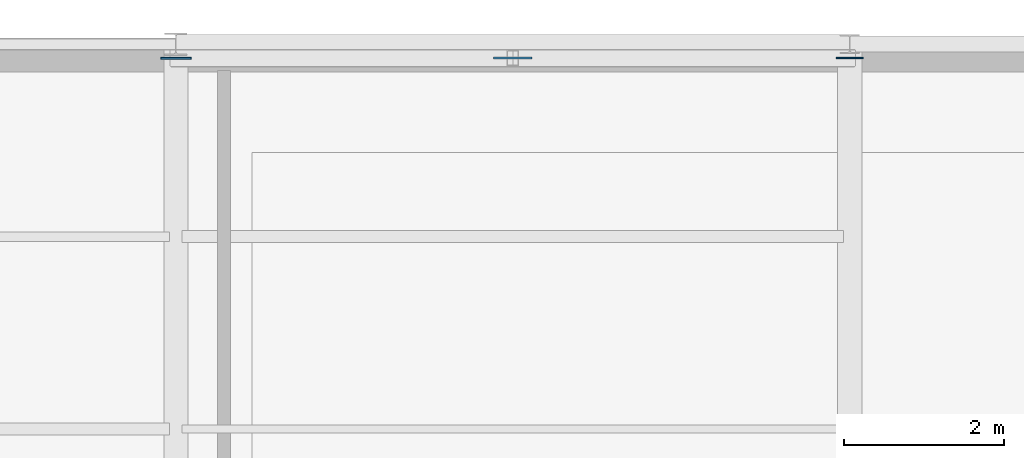
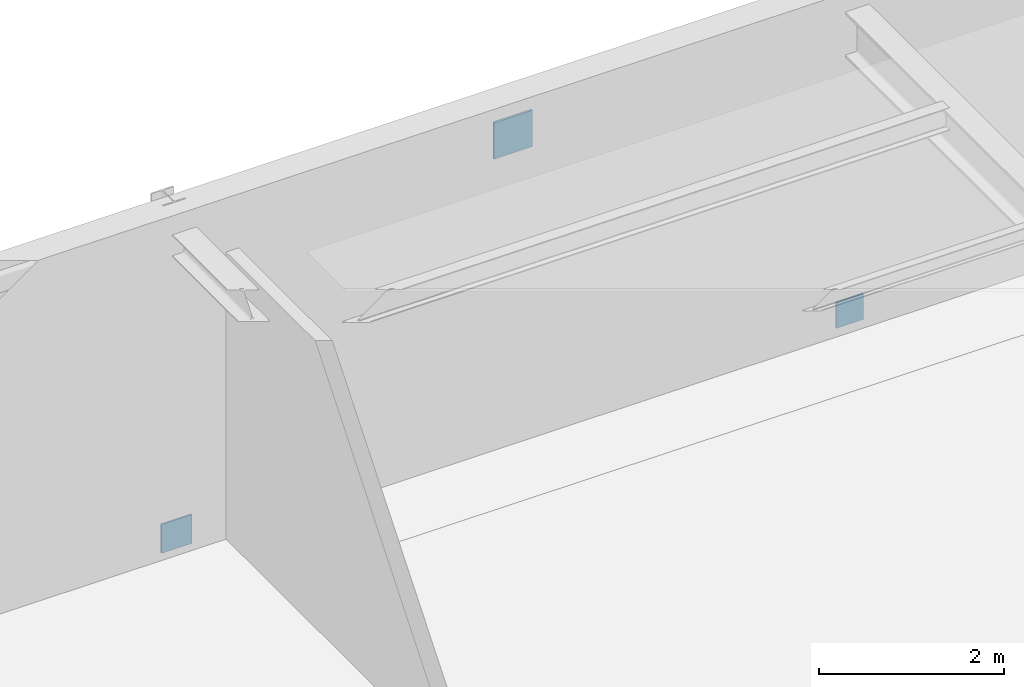
# One storey, part 74 of 101: 3 plates.
"""IFC4 building model written with IfcOpenShell, lengths in metres."""

from ifc_helpers import new_model, si_unit, derived_unit, direction, frame, origin, origin_2d, place, context, subcontext, project, spatial, rectangle, extrude, material, layer, layer_set, type_object, element, save


model = new_model("IFC4")

# Units and contexts
model_context = context("Model", 3, precision=1e-05, world=origin(), true_north=direction((0.0, 1.0)))
body_context = subcontext(model_context, "Body", "Model", "MODEL_VIEW")
ifc_project = project(units=[si_unit("LENGTHUNIT", "METRE"), si_unit("AREAUNIT", "SQUARE_METRE"), si_unit("VOLUMEUNIT", "CUBIC_METRE"), si_unit("PLANEANGLEUNIT", "RADIAN"), si_unit("MASSUNIT", "GRAM", prefix="KILO"), derived_unit("THERMALTRANSMITTANCEUNIT", [(si_unit("POWERUNIT", "WATT"), 1), (si_unit("AREAUNIT", "SQUARE_METRE"), -1), (si_unit("THERMODYNAMICTEMPERATUREUNIT", "KELVIN"), -1)])], contexts=[model_context])

# Site, building, storey
site_placement = place(None, origin())
site = spatial("IfcSite", under=ifc_project, at=site_placement, CompositionType="ELEMENT")
building_placement = place(site_placement, origin())
building = spatial("IfcBuilding", under=site, at=building_placement, Name="Yasenodar Specialist Clinic", CompositionType="ELEMENT")
storey_placement = place(building_placement, origin())
storey = spatial("IfcBuildingStorey", under=building, at=storey_placement, Name="L00", CompositionType="ELEMENT", Elevation=0.0)

# Plates
ifc_material = material(Name="Steel S355", Category="steel")
ifc_layer_1 = layer(ifc_material, 0.02197265625)
ifc_layer_set_1 = layer_set([ifc_layer_1], Name="Steel S355")
plate_type_1 = type_object("IfcPlateType", Name="PL-STEEL-02", PredefinedType="SHEET", material=ifc_layer_set_1)
plate_1_placement = place(storey_placement, frame((16.800048828125, 111.425048828125, -0.0400390625), z_axis=(0.0, 0.0, 1.0), x_axis=(1.0, 0.0, 0.0)))
element("IfcPlate", 1, at=plate_1_placement, inside=storey, type_object=plate_type_1, Name="L00 Hollow Section End-Cap Plate 0001", PredefinedType="SHEET", context=body_context, shape_type="SweptSolid", body=[
    extrude(rectangle(XDim=0.3798828125, YDim=0.02197265625, at=origin_2d()), origin(), (0.0, 0.0, 1.0), 0.3798828125),
])
ifc_layer_2 = layer(ifc_material, 0.02001953125)
ifc_layer_set_2 = layer_set([ifc_layer_2], Name="Steel S355")
plate_type_2 = type_object("IfcPlateType", Name="PL-STEEL-03", PredefinedType="SHEET", material=ifc_layer_set_2)
plate_2_placement = place(storey_placement, frame((25.199951171875, 111.425048828125, -0.02001953125), z_axis=(0.0, 0.0, 1.0), x_axis=(1.0, 0.0, 0.0)))
element("IfcPlate", 2, at=plate_2_placement, inside=storey, type_object=plate_type_2, Name="L00 Hollow Section End-Cap Plate 0002", PredefinedType="SHEET", context=body_context, shape_type="SweptSolid", body=[
    extrude(rectangle(XDim=0.340087890625, YDim=0.02001953125, at=origin_2d()), origin(), (0.0, 0.0, 1.0), 0.340087890625),
])
ifc_layer_3 = layer(ifc_material, 0.028076171875)
ifc_layer_set_3 = layer_set([ifc_layer_3], Name="Steel S355")
plate_type_3 = type_object("IfcPlateType", Name="PL-STEEL-06", PredefinedType="USERDEFINED", material=ifc_layer_set_3)
plate_3_placement = place(storey_placement, frame((21.0, 111.425048828125, 3.7099609375), z_axis=(0.0, 0.0, 1.0), x_axis=(1.0, 0.0, 0.0)))
element("IfcPlate", 3, at=plate_3_placement, inside=storey, type_object=plate_type_3, Name="L00 Hollow Section End-Cap Plate 0003", ObjectType="CAP_PLATE", PredefinedType="USERDEFINED", context=body_context, shape_type="SweptSolid", body=[
    extrude(rectangle(XDim=0.47998046875, YDim=0.028076171875, at=origin_2d()), origin(), (0.0, 0.0, 1.0), 0.47998046875),
])

save(model, "model.ifc")
